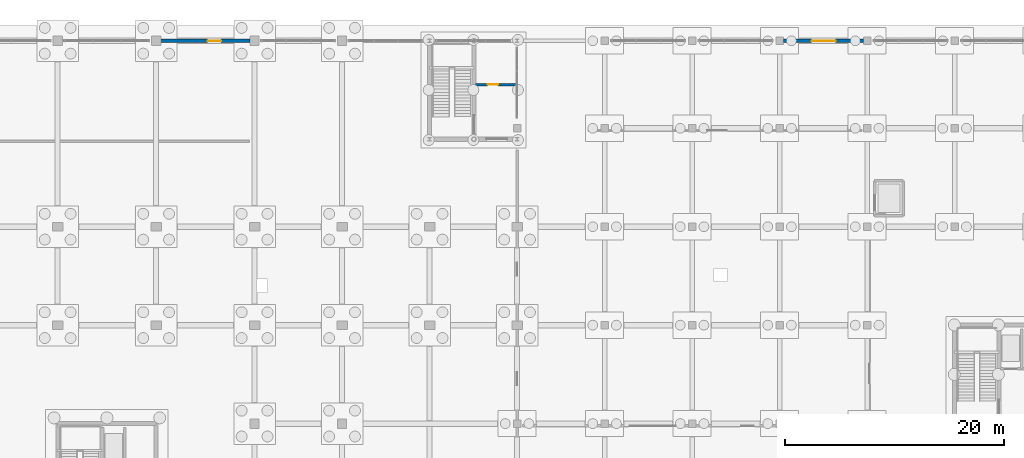
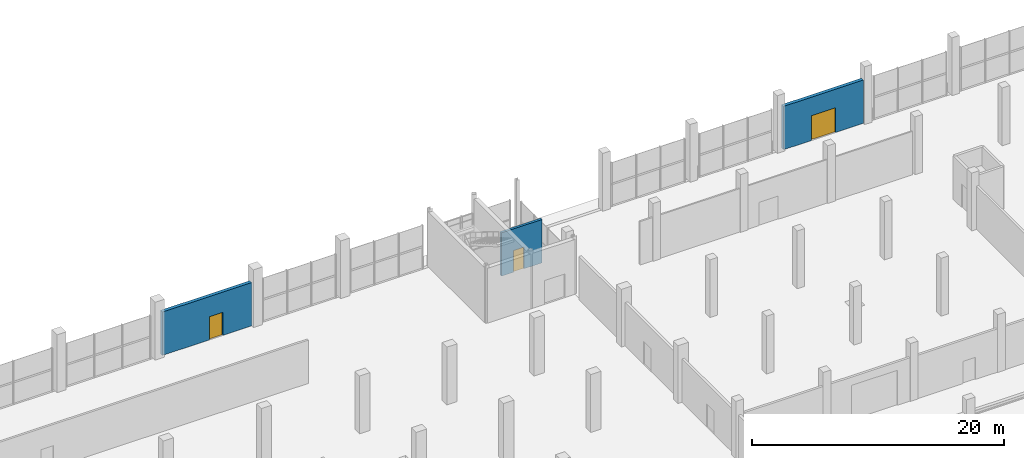
# One storey, part 85 of 98: 3 doors, 3 walls, 3 openings.
"""IFC4 building model written with IfcOpenShell, lengths in metres."""

from ifc_helpers import new_model, si_unit, derived_unit, direction, frame, frame_2d, origin, place, context, subcontext, project, spatial, rectangle, extrude, material, layer, layer_set, type_object, element, fill, save


model = new_model("IFC4")

# Units and contexts
model_context = context("Model", 3, precision=1e-05, world=origin(), true_north=direction((0.0, 1.0)))
body_context = subcontext(model_context, "Body", "Model", "MODEL_VIEW")
ifc_project = project(units=[si_unit("LENGTHUNIT", "METRE"), si_unit("AREAUNIT", "SQUARE_METRE"), si_unit("VOLUMEUNIT", "CUBIC_METRE"), si_unit("PLANEANGLEUNIT", "RADIAN"), si_unit("MASSUNIT", "GRAM", prefix="KILO"), si_unit("THERMODYNAMICTEMPERATUREUNIT", "KELVIN"), derived_unit("THERMALTRANSMITTANCEUNIT", [(si_unit("POWERUNIT", "WATT"), 1), (si_unit("AREAUNIT", "SQUARE_METRE"), -1), (si_unit("THERMODYNAMICTEMPERATUREUNIT", "KELVIN"), -1)])], contexts=[model_context])

# Site, building, storey
site_placement = place(None, origin())
site = spatial("IfcSite", under=ifc_project, at=site_placement, CompositionType="ELEMENT")
building_placement = place(site_placement, origin())
building = spatial("IfcBuilding", under=site, at=building_placement, Name="Haiyu Intermodal Mobility Hub", CompositionType="ELEMENT")
storey_placement = place(building_placement, origin())
storey = spatial("IfcBuildingStorey", under=building, at=storey_placement, Name="L00", CompositionType="ELEMENT", Elevation=0.0)

# Wall, opening, door
ifc_material_1 = material(Name="Precast concrete C40", Category="concrete")
ifc_layer_1 = layer(ifc_material_1, 0.300048828125)
ifc_layer_set_1 = layer_set([ifc_layer_1], Name="Precast concrete C40")
wall_type_1 = type_object("IfcWallType", Name="WAL-WE01", PredefinedType="STANDARD", material=ifc_layer_set_1)
wall_1_placement = place(storey_placement, frame((137.594970703125, 148.0, 0.0), z_axis=(0.0, 0.0, 1.0), x_axis=(-1.0, 0.0, 0.0)))
wall_1 = element("IfcWall", 1, at=wall_1_placement, inside=storey, type_object=wall_type_1, Name="WAL-V4N-L00-066", PredefinedType="STANDARD", context=body_context, shape_type="SweptSolid", body=[
    extrude(rectangle(XDim=8.18994140625, YDim=0.300048828125, at=frame_2d((4.094970703125, 0.0))), origin(), (0.0, 0.0, 1.0), 4.199951171875),
])
opening_1_placement = place(wall_1_placement, frame((2.64501953125, 0.0, 0.0)))
opening_1 = element("IfcOpeningElement", 2, at=opening_1_placement, cuts=wall_1, Name="Opening DE09", PredefinedType="OPENING", context=body_context, shape_type="SweptSolid", body=[
    extrude(rectangle(XDim=1.25, YDim=2.25, at=frame_2d((0.625, 1.125))), frame((0.0, 0.16015625, 0.0), z_axis=(0.0, -1.0, 0.0), x_axis=(1.0, 0.0, 0.0)), (0.0, 0.0, 1.0), 0.320068359375),
])
ifc_material_2 = material(Name="Anodised aluminium 6063-T6", Category="aluminium")
door_type_1 = type_object("IfcDoorType", Name="DR-DE09", OperationType="NOTDEFINED", PredefinedType="DOOR", material=ifc_material_2)
door_1_placement = place(opening_1_placement, origin())
door_1 = element("IfcDoor", 3, at=door_1_placement, inside=storey, type_object=door_type_1, Name="WAL-V4N-L00-066-DR01", OperationType="DOUBLE_SWING_LEFT", OverallHeight=2.25, OverallWidth=1.25, PredefinedType="DOOR", context=body_context, shape_type="SweptSolid", body=[
    extrude(rectangle(XDim=1.25, YDim=2.25, at=frame_2d((0.625, 1.125))), frame((0.0, 0.02490234375, 0.0), z_axis=(0.0, -1.0, 0.0), x_axis=(1.0, 0.0, 0.0)), (0.0, 0.0, 1.0), 0.050048828125),
])
fill(opening_1, door_1)

wall_2_placement = place(storey_placement, frame((193.6650390625, 148.0, 0.0), z_axis=(0.0, 0.0, 1.0), x_axis=(-1.0, 0.0, 0.0)))
wall_2 = element("IfcWall", 4, at=wall_2_placement, inside=storey, type_object=wall_type_1, Name="WAL-V6N-159", PredefinedType="STANDARD", context=body_context, shape_type="SweptSolid", body=[
    extrude(rectangle(XDim=7.330078125, YDim=0.300048828125, at=frame_2d((3.6650390625, 0.0))), origin(), (0.0, 0.0, 1.0), 4.199951171875),
])
opening_2_placement = place(wall_2_placement, frame((2.544921875, 0.0, 0.0)))
opening_2 = element("IfcOpeningElement", 5, at=opening_2_placement, cuts=wall_2, Name="Opening DE02", PredefinedType="OPENING", context=body_context, shape_type="SweptSolid", body=[
    extrude(rectangle(XDim=2.199951171875, YDim=2.39990234375, at=frame_2d((1.10009765625, 1.199951171875))), frame((0.0, 0.16015625, 0.0), z_axis=(0.0, -1.0, 0.0), x_axis=(1.0, 0.0, 0.0)), (0.0, 0.0, 1.0), 0.320068359375),
])
door_type_2 = type_object("IfcDoorType", Name="DR-DE02", OperationType="DOUBLE_DOOR_SLIDING", PredefinedType="DOOR", material=ifc_material_2)
door_2_placement = place(opening_2_placement, origin())
door_2 = element("IfcDoor", 6, at=door_2_placement, inside=storey, type_object=door_type_2, Name="WAL-V6N-159-DR01", OperationType="SINGLE_SWING_LEFT", OverallHeight=2.39990234375, OverallWidth=2.199951171875, PredefinedType="DOOR", context=body_context, shape_type="SweptSolid", body=[
    extrude(rectangle(XDim=2.199951171875, YDim=2.39990234375, at=frame_2d((1.10009765625, 1.199951171875))), frame((0.0, 0.02490234375, 0.0), z_axis=(0.0, -1.0, 0.0), x_axis=(1.0, 0.0, 0.0)), (0.0, 0.0, 1.0), 0.050048828125),
])
fill(opening_2, door_2)

ifc_material_3 = material(Name="Autoclaved aerated concrete block A5.0", Category="concrete")
ifc_layer_2 = layer(ifc_material_3, 0.22998046875)
ifc_layer_set_2 = layer_set([ifc_layer_2], Name="Autoclaved aerated concrete block A5.0")
wall_type_2 = type_object("IfcWallType", Name="WAL-WI01", PredefinedType="PARTITIONING", material=ifc_layer_set_2)
wall_3_placement = place(storey_placement, frame((158.2099609375, 144.0, 0.0), z_axis=(0.0, 0.0, 1.0), x_axis=(1.0, 0.0, 0.0)))
wall_3 = element("IfcWall", 7, at=wall_3_placement, inside=storey, type_object=wall_type_2, Name="WAL-CORE-C4-LFT-L00", PredefinedType="PARTITIONING", context=body_context, shape_type="SweptSolid", body=[
    extrude(rectangle(XDim=3.7099609375, YDim=0.22998046875, at=frame_2d((1.85498046875, 0.0))), origin(), (0.0, 0.0, 1.0), 4.199951171875),
])
opening_3_placement = place(wall_3_placement, frame((1.10009765625, 0.0, 0.0)))
opening_3 = element("IfcOpeningElement", 8, at=opening_3_placement, cuts=wall_3, Name="Opening DI07", PredefinedType="OPENING", context=body_context, shape_type="SweptSolid", body=[
    extrude(rectangle(XDim=0.949951171875, YDim=2.10009765625, at=frame_2d((0.47509765625, 1.050048828125))), frame((0.0, 0.125, 0.0), z_axis=(0.0, -1.0, 0.0), x_axis=(1.0, 0.0, 0.0)), (0.0, 0.0, 1.0), 0.25),
])
ifc_material_4 = material(Name="Steel Q355C", Category="steel")
door_type_3 = type_object("IfcDoorType", Name="DR-DI07", OperationType="NOTDEFINED", PredefinedType="DOOR", material=ifc_material_4)
door_3_placement = place(opening_3_placement, origin())
door_3 = element("IfcDoor", 9, at=door_3_placement, inside=storey, type_object=door_type_3, Name="Core C4 Accessible WC Door L00", OperationType="SINGLE_SWING_RIGHT", OverallHeight=2.10009765625, OverallWidth=0.949951171875, PredefinedType="DOOR", context=body_context, shape_type="SweptSolid", body=[
    extrude(rectangle(XDim=0.949951171875, YDim=2.10009765625, at=frame_2d((0.47509765625, 1.050048828125))), frame((0.0, 0.02490234375, 0.0), z_axis=(0.0, -1.0, 0.0), x_axis=(1.0, 0.0, 0.0)), (0.0, 0.0, 1.0), 0.050048828125),
])
fill(opening_3, door_3)

save(model, "model.ifc")
